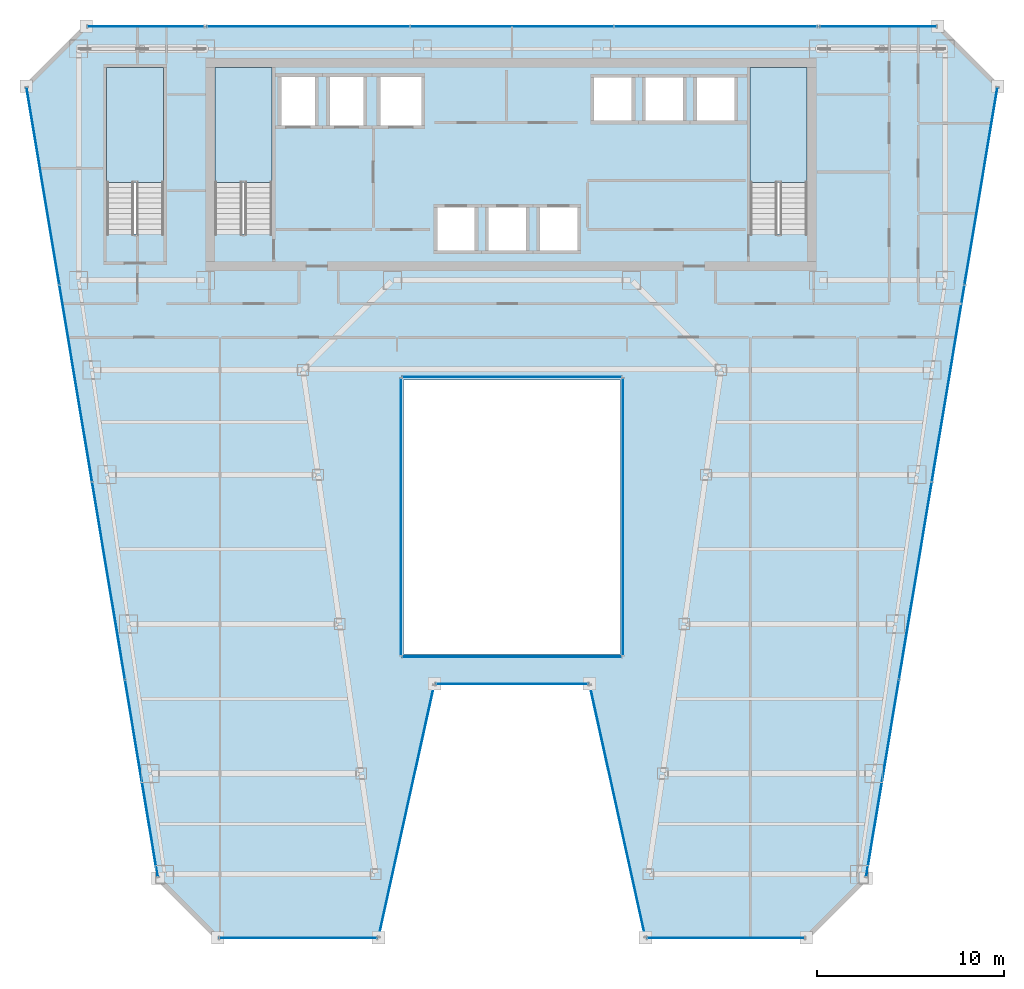
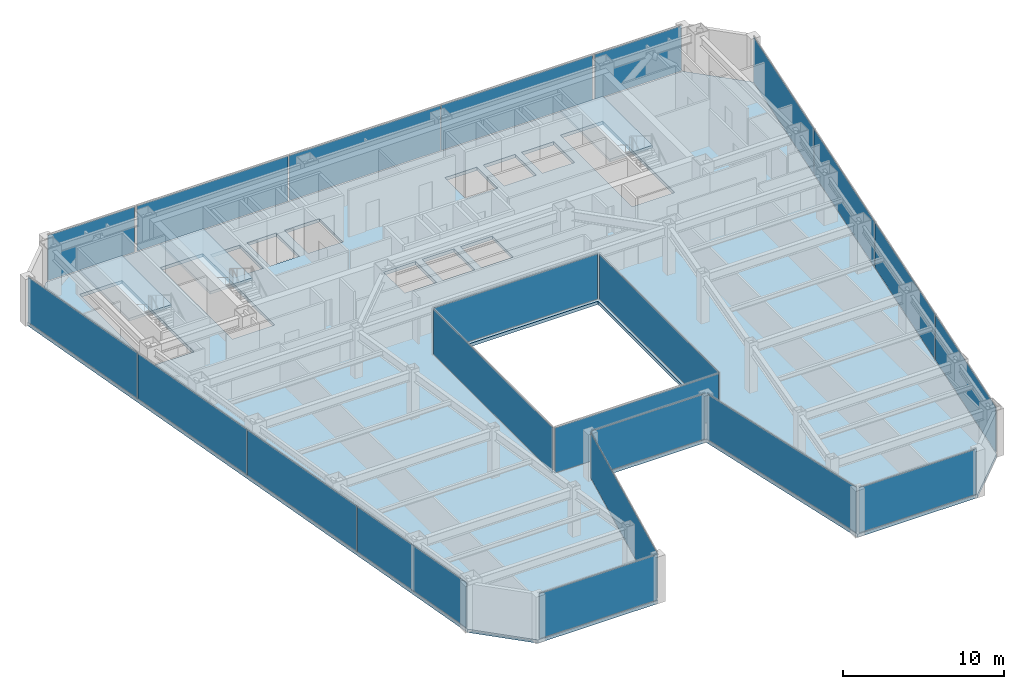
# One storey, part 29 of 36: 22 plates, 4 slabs, 17 elements without a shape of their own.
"""IFC4 building model written with IfcOpenShell, lengths in metres."""

from ifc_helpers import new_model, si_unit, direction, frame, origin, origin_2d, place, context, subcontext, project, spatial, polyline, rectangle, outline, extrude, material, layer, layer_set, type_object, element, aggregate, save


model = new_model("IFC4")

# Units and contexts
model_context = context("Model", 3, precision=1e-05, world=origin(), true_north=direction((0.0, 1.0)))
body_context = subcontext(model_context, "Body", "Model", "MODEL_VIEW")
ifc_project = project(units=[si_unit("LENGTHUNIT", "METRE"), si_unit("AREAUNIT", "SQUARE_METRE"), si_unit("VOLUMEUNIT", "CUBIC_METRE"), si_unit("PLANEANGLEUNIT", "RADIAN"), si_unit("MASSUNIT", "GRAM", prefix="KILO")], contexts=[model_context])

# Site, building, storey
site_placement = place(None, origin())
site = spatial("IfcSite", under=ifc_project, at=site_placement, CompositionType="ELEMENT")
building_placement = place(site_placement, origin())
building = spatial("IfcBuilding", under=site, at=building_placement, Name="Saevonmaru Cultural Tower", CompositionType="ELEMENT")
storey_placement = place(building_placement, frame((0.0, 0.0, 152.39990234375)))
storey = spatial("IfcBuildingStorey", under=building, at=storey_placement, Name="L33", CompositionType="ELEMENT", Elevation=152.39990234375)

# Curtain wall, plate
ifc_material_1 = material(Name="Satin Bronze Anodised Aluminium", Category="aluminium")
curtain_wall_type_1 = type_object("IfcCurtainWallType", Name="CW-ATR-GLZ", PredefinedType="NOTDEFINED", material=ifc_material_1)
curtain_wall_1_placement = place(storey_placement, origin())
curtain_wall_1 = element("IfcCurtainWall", 1, at=curtain_wall_1_placement, inside=storey, type_object=curtain_wall_type_1, Name="L33 Vertical Atrium Glazed Smoke Screen 1", PredefinedType="NOTDEFINED")
ifc_material_2 = material(Name="Fire-Rated Laminated Atrium Glass", Category="glass")
ifc_layer_1 = layer(ifc_material_2, 0.031982421875, Name="Fire-Rated Laminated Atrium Glass")
ifc_layer_set_1 = layer_set([ifc_layer_1], Name="Fire-Rated Laminated Atrium Glass")
plate_type_1 = type_object("IfcPlateType", Name="PN-GLZ-ATR-INT", PredefinedType="CURTAIN_PANEL", material=ifc_layer_set_1)
plate_1_placement = place(storey_placement, frame((30.0, 22.25, 0.067138671875), z_axis=(0.0, 0.0, 1.0), x_axis=(1.0, 0.0, 0.0)))
plate_1 = element("IfcPlate", 2, at=plate_1_placement, type_object=plate_type_1, Name="CW-ATR-L33-1 panel 1.1", PredefinedType="CURTAIN_PANEL", context=body_context, shape_type="SweptSolid", body=[
    extrude(rectangle(XDim=11.7109375, YDim=0.031982421875, at=origin_2d()), origin(), (0.0, 0.0, 1.0), 3.416015625),
])
aggregate(curtain_wall_1, [plate_1])

curtain_wall_2_placement = place(storey_placement, origin())
curtain_wall_2 = element("IfcCurtainWall", 3, at=curtain_wall_2_placement, inside=storey, type_object=curtain_wall_type_1, Name="L33 Vertical Atrium Glazed Smoke Screen 2", PredefinedType="NOTDEFINED")
plate_2_placement = place(storey_placement, frame((35.949951171875, 29.739990234375, 0.067138671875), z_axis=(0.0, 0.0, 1.0), x_axis=(0.0, 1.0, 0.0)))
plate_2 = element("IfcPlate", 4, at=plate_2_placement, type_object=plate_type_1, Name="CW-ATR-L33-2 panel 1.1", PredefinedType="CURTAIN_PANEL", context=body_context, shape_type="SweptSolid", body=[
    extrude(rectangle(XDim=14.791015625, YDim=0.031982421875, at=origin_2d()), origin(), (0.0, 0.0, 1.0), 3.416015625),
])
aggregate(curtain_wall_2, [plate_2])

curtain_wall_3_placement = place(storey_placement, origin())
curtain_wall_3 = element("IfcCurtainWall", 5, at=curtain_wall_3_placement, inside=storey, type_object=curtain_wall_type_1, Name="L33 Vertical Atrium Glazed Smoke Screen 3", PredefinedType="NOTDEFINED")
plate_3_placement = place(storey_placement, frame((30.0, 37.22998046875, 0.067138671875), z_axis=(0.0, 0.0, 1.0), x_axis=(-1.0, 0.0, 0.0)))
plate_3 = element("IfcPlate", 6, at=plate_3_placement, type_object=plate_type_1, Name="CW-ATR-L33-3 panel 1.1", PredefinedType="CURTAIN_PANEL", context=body_context, shape_type="SweptSolid", body=[
    extrude(rectangle(XDim=11.7109375, YDim=0.031982421875, at=origin_2d()), origin(), (0.0, 0.0, 1.0), 3.416015625),
])
aggregate(curtain_wall_3, [plate_3])

curtain_wall_4_placement = place(storey_placement, origin())
curtain_wall_4 = element("IfcCurtainWall", 7, at=curtain_wall_4_placement, inside=storey, type_object=curtain_wall_type_1, Name="L33 Vertical Atrium Glazed Smoke Screen 4", PredefinedType="NOTDEFINED")
plate_4_placement = place(storey_placement, frame((24.050048828125, 29.739990234375, 0.067138671875), z_axis=(0.0, 0.0, 1.0), x_axis=(0.0, -1.0, 0.0)))
plate_4 = element("IfcPlate", 8, at=plate_4_placement, type_object=plate_type_1, Name="CW-ATR-L33-4 panel 1.1", PredefinedType="CURTAIN_PANEL", context=body_context, shape_type="SweptSolid", body=[
    extrude(rectangle(XDim=14.791015625, YDim=0.031982421875, at=origin_2d()), origin(), (0.0, 0.0, 1.0), 3.416015625),
])
aggregate(curtain_wall_4, [plate_4])

curtain_wall_type_2 = type_object("IfcCurtainWallType", Name="CW-TYP-A", PredefinedType="NOTDEFINED", material=ifc_material_1)
curtain_wall_5_placement = place(storey_placement, origin())
curtain_wall_5 = element("IfcCurtainWall", 9, at=curtain_wall_5_placement, inside=storey, type_object=curtain_wall_type_2, Name="L33 Unitised Curtain Wall E2", PredefinedType="NOTDEFINED")
ifc_material_3 = material(Name="Triple Silver Low-E Insulating Glass", Category="glass")
ifc_layer_2 = layer(ifc_material_3, 0.035888671875, Name="Triple Silver Low-E Insulating Glass")
ifc_layer_set_2 = layer_set([ifc_layer_2], Name="Triple Silver Low-E Insulating Glass")
plate_type_2 = type_object("IfcPlateType", Name="PN-GLZ-IGU", PredefinedType="CURTAIN_PANEL", material=ifc_layer_set_2)
plate_5_placement = place(storey_placement, frame((18.548828125, 7.199951171875, 0.067138671875), z_axis=(0.0, 0.0, 1.0), x_axis=(1.0, 0.0, 0.0)))
plate_5 = element("IfcPlate", 10, at=plate_5_placement, type_object=plate_type_2, Name="CW-TW-L33-E2 panel 1.1", PredefinedType="CURTAIN_PANEL", context=body_context, shape_type="SweptSolid", body=[
    extrude(rectangle(XDim=8.410888671875, YDim=0.035888671875, at=origin_2d()), origin(), (0.0, 0.0, 1.0), 3.416015625),
])
aggregate(curtain_wall_5, [plate_5])

curtain_wall_6_placement = place(storey_placement, origin())
curtain_wall_6 = element("IfcCurtainWall", 11, at=curtain_wall_6_placement, inside=storey, type_object=curtain_wall_type_2, Name="L33 Unitised Curtain Wall E3", PredefinedType="NOTDEFINED")
plate_6_placement = place(storey_placement, frame((24.348876953125, 14.0, 0.067138671875), z_axis=(0.0, 0.0, 1.0), x_axis=(0.215413319953, 0.976522965212, 0.0)))
plate_6 = element("IfcPlate", 12, at=plate_6_placement, type_object=plate_type_2, Name="CW-TW-L33-E3 panel 1.1", PredefinedType="CURTAIN_PANEL", context=body_context, shape_type="SweptSolid", body=[
    extrude(rectangle(XDim=13.738037109375, YDim=0.035888671875, at=origin_2d()), origin(), (0.0, 0.0, 1.0), 3.416015625),
])
aggregate(curtain_wall_6, [plate_6])

curtain_wall_7_placement = place(storey_placement, origin())
curtain_wall_7 = element("IfcCurtainWall", 13, at=curtain_wall_7_placement, inside=storey, type_object=curtain_wall_type_2, Name="L33 Unitised Curtain Wall E4", PredefinedType="NOTDEFINED")
plate_7_placement = place(storey_placement, frame((30.0, 20.800048828125, 0.067138671875), z_axis=(0.0, 0.0, 1.0), x_axis=(1.0, 0.0, 0.0)))
plate_7 = element("IfcPlate", 14, at=plate_7_placement, type_object=plate_type_2, Name="CW-TW-L33-E4 panel 1.1", PredefinedType="CURTAIN_PANEL", context=body_context, shape_type="SweptSolid", body=[
    extrude(rectangle(XDim=8.11328125, YDim=0.035888671875, at=origin_2d()), origin(), (0.0, 0.0, 1.0), 3.416015625),
])
aggregate(curtain_wall_7, [plate_7])

curtain_wall_8_placement = place(storey_placement, origin())
curtain_wall_8 = element("IfcCurtainWall", 15, at=curtain_wall_8_placement, inside=storey, type_object=curtain_wall_type_2, Name="L33 Unitised Curtain Wall E5", PredefinedType="NOTDEFINED")
plate_8_placement = place(storey_placement, frame((35.651123046875, 14.0, 0.067138671875), z_axis=(0.0, 0.0, 1.0), x_axis=(0.215413319953, -0.976522965212, 0.0)))
plate_8 = element("IfcPlate", 16, at=plate_8_placement, type_object=plate_type_2, Name="CW-TW-L33-E5 panel 1.1", PredefinedType="CURTAIN_PANEL", context=body_context, shape_type="SweptSolid", body=[
    extrude(rectangle(XDim=13.738037109375, YDim=0.035888671875, at=origin_2d()), origin(), (0.0, 0.0, 1.0), 3.416015625),
])
aggregate(curtain_wall_8, [plate_8])

curtain_wall_9_placement = place(storey_placement, origin())
curtain_wall_9 = element("IfcCurtainWall", 17, at=curtain_wall_9_placement, inside=storey, type_object=curtain_wall_type_2, Name="L33 Unitised Curtain Wall E6", PredefinedType="NOTDEFINED")
plate_9_placement = place(storey_placement, frame((41.451171875, 7.199951171875, 0.067138671875), z_axis=(0.0, 0.0, 1.0), x_axis=(1.0, 0.0, 0.0)))
plate_9 = element("IfcPlate", 18, at=plate_9_placement, type_object=plate_type_2, Name="CW-TW-L33-E6 panel 1.1", PredefinedType="CURTAIN_PANEL", context=body_context, shape_type="SweptSolid", body=[
    extrude(rectangle(XDim=8.410888671875, YDim=0.035888671875, at=origin_2d()), origin(), (0.0, 0.0, 1.0), 3.416015625),
])
aggregate(curtain_wall_9, [plate_9])

# Curtain wall, plates
curtain_wall_10_placement = place(storey_placement, origin())
curtain_wall_10 = element("IfcCurtainWall", 19, at=curtain_wall_10_placement, inside=storey, type_object=curtain_wall_type_2, Name="L33 Unitised Curtain Wall E8", PredefinedType="NOTDEFINED")
plate_10_placement = place(storey_placement, frame((49.839599609375, 15.744384765625, 0.067138671875), z_axis=(0.0, 0.0, 1.0), x_axis=(0.163998702345, 0.986460554523, 0.0)))
plate_10 = element("IfcPlate", 20, at=plate_10_placement, type_object=plate_type_2, Name="CW-TW-L33-E8 panel 1.1", PredefinedType="CURTAIN_PANEL", context=body_context, shape_type="SweptSolid", body=[
    extrude(rectangle(XDim=10.646484375, YDim=0.035888671875, at=origin_2d()), origin(), (0.0, 0.0, 1.0), 3.416015625),
])
plate_11_placement = place(storey_placement, frame((51.596923828125, 26.314697265625, 0.067138671875), z_axis=(0.0, 0.0, 1.0), x_axis=(0.163998702345, 0.986460554523, 0.0)))
plate_11 = element("IfcPlate", 21, at=plate_11_placement, type_object=plate_type_2, Name="CW-TW-L33-E8 panel 2.1", PredefinedType="CURTAIN_PANEL", context=body_context, shape_type="SweptSolid", body=[
    extrude(rectangle(XDim=10.646484375, YDim=0.035888671875, at=origin_2d()), origin(), (0.0, 0.0, 1.0), 3.416015625),
])
plate_12_placement = place(storey_placement, frame((53.354248046875, 36.88525390625, 0.067138671875), z_axis=(0.0, 0.0, 1.0), x_axis=(0.163998702345, 0.986460554523, 0.0)))
plate_12 = element("IfcPlate", 22, at=plate_12_placement, type_object=plate_type_2, Name="CW-TW-L33-E8 panel 3.1", PredefinedType="CURTAIN_PANEL", context=body_context, shape_type="SweptSolid", body=[
    extrude(rectangle(XDim=10.646484375, YDim=0.035888671875, at=origin_2d()), origin(), (0.0, 0.0, 1.0), 3.416015625),
])
plate_13_placement = place(storey_placement, frame((55.111572265625, 47.45556640625, 0.067138671875), z_axis=(0.0, 0.0, 1.0), x_axis=(0.163998702345, 0.986460554523, 0.0)))
plate_13 = element("IfcPlate", 23, at=plate_13_placement, type_object=plate_type_2, Name="CW-TW-L33-E8 panel 4.1", PredefinedType="CURTAIN_PANEL", context=body_context, shape_type="SweptSolid", body=[
    extrude(rectangle(XDim=10.646484375, YDim=0.035888671875, at=origin_2d()), origin(), (0.0, 0.0, 1.0), 3.416015625),
])
aggregate(curtain_wall_10, [plate_10, plate_11, plate_12, plate_13])

curtain_wall_11_placement = place(storey_placement, origin())
curtain_wall_11 = element("IfcCurtainWall", 24, at=curtain_wall_11_placement, inside=storey, type_object=curtain_wall_type_2, Name="L33 North Spine Unitised Curtain Wall E10B", PredefinedType="NOTDEFINED")
plate_14_placement = place(storey_placement, frame((40.893310546875, 56.0, 0.067138671875), z_axis=(0.0, 0.0, 1.0), x_axis=(-1.0, 0.0, 0.0)))
plate_14 = element("IfcPlate", 25, at=plate_14_placement, type_object=plate_type_2, Name="CW-TW-L33-E10B panel 1.1", PredefinedType="CURTAIN_PANEL", context=body_context, shape_type="SweptSolid", body=[
    extrude(rectangle(XDim=10.82421875, YDim=0.035888671875, at=origin_2d()), origin(), (0.0, 0.0, 1.0), 3.416015625),
])
plate_15_placement = place(storey_placement, frame((30.0, 56.0, 0.067138671875), z_axis=(0.0, 0.0, 1.0), x_axis=(-1.0, 0.0, 0.0)))
plate_15 = element("IfcPlate", 26, at=plate_15_placement, type_object=plate_type_2, Name="CW-TW-L33-E10B panel 2.1", PredefinedType="CURTAIN_PANEL", context=body_context, shape_type="SweptSolid", body=[
    extrude(rectangle(XDim=10.82421875, YDim=0.035888671875, at=origin_2d()), origin(), (0.0, 0.0, 1.0), 3.416015625),
])
plate_16_placement = place(storey_placement, frame((19.106689453125, 56.0, 0.067138671875), z_axis=(0.0, 0.0, 1.0), x_axis=(-1.0, 0.0, 0.0)))
plate_16 = element("IfcPlate", 27, at=plate_16_placement, type_object=plate_type_2, Name="CW-TW-L33-E10B panel 3.1", PredefinedType="CURTAIN_PANEL", context=body_context, shape_type="SweptSolid", body=[
    extrude(rectangle(XDim=10.82421875, YDim=0.035888671875, at=origin_2d()), origin(), (0.0, 0.0, 1.0), 3.416015625),
])
aggregate(curtain_wall_11, [plate_14, plate_15, plate_16])

curtain_wall_12_placement = place(storey_placement, origin())
curtain_wall_12 = element("IfcCurtainWall", 28, at=curtain_wall_12_placement, inside=storey, type_object=curtain_wall_type_2, Name="L33 Unitised Curtain Wall E12", PredefinedType="NOTDEFINED")
plate_17_placement = place(storey_placement, frame((4.888427734375, 47.45556640625, 0.067138671875), z_axis=(0.0, 0.0, 1.0), x_axis=(0.163998702345, -0.986460554523, 0.0)))
plate_17 = element("IfcPlate", 29, at=plate_17_placement, type_object=plate_type_2, Name="CW-TW-L33-E12 panel 1.1", PredefinedType="CURTAIN_PANEL", context=body_context, shape_type="SweptSolid", body=[
    extrude(rectangle(XDim=10.646484375, YDim=0.035888671875, at=origin_2d()), origin(), (0.0, 0.0, 1.0), 3.416015625),
])
plate_18_placement = place(storey_placement, frame((6.645751953125, 36.88525390625, 0.067138671875), z_axis=(0.0, 0.0, 1.0), x_axis=(0.163998702345, -0.986460554523, 0.0)))
plate_18 = element("IfcPlate", 30, at=plate_18_placement, type_object=plate_type_2, Name="CW-TW-L33-E12 panel 2.1", PredefinedType="CURTAIN_PANEL", context=body_context, shape_type="SweptSolid", body=[
    extrude(rectangle(XDim=10.646484375, YDim=0.035888671875, at=origin_2d()), origin(), (0.0, 0.0, 1.0), 3.416015625),
])
plate_19_placement = place(storey_placement, frame((8.403076171875, 26.314697265625, 0.067138671875), z_axis=(0.0, 0.0, 1.0), x_axis=(0.163998702345, -0.986460554523, 0.0)))
plate_19 = element("IfcPlate", 31, at=plate_19_placement, type_object=plate_type_2, Name="CW-TW-L33-E12 panel 3.1", PredefinedType="CURTAIN_PANEL", context=body_context, shape_type="SweptSolid", body=[
    extrude(rectangle(XDim=10.646484375, YDim=0.035888671875, at=origin_2d()), origin(), (0.0, 0.0, 1.0), 3.416015625),
])
plate_20_placement = place(storey_placement, frame((10.160400390625, 15.744384765625, 0.067138671875), z_axis=(0.0, 0.0, 1.0), x_axis=(0.163998702345, -0.986460554523, 0.0)))
plate_20 = element("IfcPlate", 32, at=plate_20_placement, type_object=plate_type_2, Name="CW-TW-L33-E12 panel 4.1", PredefinedType="CURTAIN_PANEL", context=body_context, shape_type="SweptSolid", body=[
    extrude(rectangle(XDim=10.646484375, YDim=0.035888671875, at=origin_2d()), origin(), (0.0, 0.0, 1.0), 3.416015625),
])
aggregate(curtain_wall_12, [plate_17, plate_18, plate_19, plate_20])

# Curtain wall, plate
curtain_wall_13_placement = place(storey_placement, origin())
curtain_wall_13 = element("IfcCurtainWall", 33, at=curtain_wall_13_placement, inside=storey, type_object=curtain_wall_type_2, Name="L33 East Braced Bay Spandrel Curtain Wall E10A", PredefinedType="NOTDEFINED")
ifc_material_4 = material(Name="Insulated Satin Bronze Aluminium Spandrel Panel", Category="aluminium")
ifc_layer_3 = layer(ifc_material_4, 0.0400390625, Name="Insulated Satin Bronze Aluminium Spandrel Panel")
ifc_layer_set_3 = layer_set([ifc_layer_3], Name="Insulated Satin Bronze Aluminium Spandrel Panel")
plate_type_3 = type_object("IfcPlateType", Name="PN-SPANDREL-BRONZE", PredefinedType="CURTAIN_PANEL", material=ifc_layer_set_3)
plate_21_placement = place(storey_placement, frame((49.60009765625, 56.0, 0.067138671875), z_axis=(0.0, 0.0, 1.0), x_axis=(-1.0, 0.0, 0.0)))
plate_21 = element("IfcPlate", 34, at=plate_21_placement, type_object=plate_type_3, Name="CW-TW-L33-E10A panel 1.1", PredefinedType="CURTAIN_PANEL", context=body_context, shape_type="SweptSolid", body=[
    extrude(rectangle(XDim=6.2109375, YDim=0.035888671875, at=origin_2d()), origin(), (0.0, 0.0, 1.0), 3.416015625),
])
aggregate(curtain_wall_13, [plate_21])

curtain_wall_14_placement = place(storey_placement, origin())
curtain_wall_14 = element("IfcCurtainWall", 35, at=curtain_wall_14_placement, inside=storey, type_object=curtain_wall_type_2, Name="L33 West Braced Bay Spandrel Curtain Wall E10C", PredefinedType="NOTDEFINED")
plate_22_placement = place(storey_placement, frame((10.39990234375, 56.0, 0.067138671875), z_axis=(0.0, 0.0, 1.0), x_axis=(-1.0, 0.0, 0.0)))
plate_22 = element("IfcPlate", 36, at=plate_22_placement, type_object=plate_type_3, Name="CW-TW-L33-E10C panel 1.1", PredefinedType="CURTAIN_PANEL", context=body_context, shape_type="SweptSolid", body=[
    extrude(rectangle(XDim=6.2109375, YDim=0.035888671875, at=origin_2d()), origin(), (0.0, 0.0, 1.0), 3.416015625),
])
aggregate(curtain_wall_14, [plate_22])

# Slab
ifc_material_5 = material(Name="Concrete C40/50", Category="concrete")
ifc_layer_4 = layer(ifc_material_5, 0.25, Name="Concrete C40/50")
ifc_layer_set_4 = layer_set([ifc_layer_4], Name="Concrete C40/50")
slab_type_1 = type_object("IfcSlabType", Name="SL-FLR-250", PredefinedType="FLOOR", material=ifc_layer_set_4)
slab_1_placement = place(storey_placement, frame((0.0, 0.0, -0.25)))
element("IfcSlab", 37, at=slab_1_placement, inside=storey, type_object=slab_type_1, Name="L33 Tower Structural Floor Slab", PredefinedType="FLOOR", context=body_context, shape_type="SweptSolid", body=[
    extrude(outline(polyline([(11.048828125, 10.39990234375), (14.248779296875, 7.199951171875), (22.848876953125, 7.199951171875), (25.848876953125, 20.800048828125), (34.151123046875, 20.800048828125), (37.151123046875, 7.199951171875), (45.751220703125, 7.199951171875), (48.951171875, 10.39990234375), (56.0, 52.800048828125), (52.800048828125, 56.0), (7.199951171875, 56.0), (4.0, 52.800048828125), (11.048828125, 10.39990234375)]), holes=[polyline([(45.800048828125, 44.875), (42.75, 44.875), (42.75, 53.800048828125), (45.800048828125, 53.800048828125), (45.800048828125, 44.875)]), polyline([(39.75, 50.800048828125), (39.75, 53.39990234375), (42.050048828125, 53.39990234375), (42.050048828125, 50.800048828125), (39.75, 50.800048828125)]), polyline([(37.0, 50.800048828125), (37.0, 53.39990234375), (39.300048828125, 53.39990234375), (39.300048828125, 50.800048828125), (37.0, 50.800048828125)]), polyline([(34.25, 50.800048828125), (34.25, 53.39990234375), (36.550048828125, 53.39990234375), (36.550048828125, 50.800048828125), (34.25, 50.800048828125)]), polyline([(24.199951171875, 22.39990234375), (24.199951171875, 37.080078125), (35.800048828125, 37.080078125), (35.800048828125, 22.39990234375), (24.199951171875, 22.39990234375)]), polyline([(31.35009765625, 43.85009765625), (31.35009765625, 46.449951171875), (33.64990234375, 46.449951171875), (33.64990234375, 43.85009765625), (31.35009765625, 43.85009765625)]), polyline([(28.60009765625, 43.85009765625), (28.60009765625, 46.449951171875), (30.89990234375, 46.449951171875), (30.89990234375, 43.85009765625), (28.60009765625, 43.85009765625)]), polyline([(28.14990234375, 43.85009765625), (25.85009765625, 43.85009765625), (25.85009765625, 46.449951171875), (28.14990234375, 46.449951171875), (28.14990234375, 43.85009765625)]), polyline([(25.300048828125, 50.550048828125), (22.800048828125, 50.550048828125), (22.800048828125, 53.449951171875), (25.300048828125, 53.449951171875), (25.300048828125, 50.550048828125)]), polyline([(20.10009765625, 50.550048828125), (20.10009765625, 53.449951171875), (22.199951171875, 53.449951171875), (22.199951171875, 50.550048828125), (20.10009765625, 50.550048828125)]), polyline([(17.5, 50.550048828125), (17.5, 53.449951171875), (19.60009765625, 53.449951171875), (19.60009765625, 50.550048828125), (17.5, 50.550048828125)]), polyline([(17.14990234375, 53.800048828125), (17.14990234375, 44.875), (14.10009765625, 44.875), (14.10009765625, 53.800048828125), (17.14990234375, 53.800048828125)]), polyline([(11.35009765625, 44.875), (8.300048828125, 44.875), (8.300048828125, 53.800048828125), (11.35009765625, 53.800048828125), (11.35009765625, 44.875)])]), origin(), (0.0, 0.0, 1.0), 0.25),
])

# Stair, slab
stair_type = type_object("IfcStairType", Name="STR-DOGLEG-RC", PredefinedType="HALF_TURN_STAIR", material=ifc_material_5)
stair_1_placement = place(storey_placement, origin())
stair_1 = element("IfcStair", 38, at=stair_1_placement, inside=storey, type_object=stair_type, Name="L33 Protected exit stair ST-1", PredefinedType="HALF_TURN_STAIR")
ifc_layer_5 = layer(ifc_material_5, 0.199951171875, Name="Concrete C40/50")
ifc_layer_set_5 = layer_set([ifc_layer_5], Name="Concrete C40/50")
slab_type_2 = type_object("IfcSlabType", Name="SL-STAIR-LANDING", PredefinedType="LANDING", material=ifc_layer_set_5)
slab_2_placement = place(storey_placement, frame((0.0, 0.0, 1.7001953125)))
slab_2 = element("IfcSlab", 39, at=slab_2_placement, type_object=slab_type_2, Name="ST-1-L33 landing 1", PredefinedType="LANDING", context=body_context, shape_type="SweptSolid", body=[
    extrude(outline(polyline([(17.14990234375, 47.64990234375), (17.14990234375, 53.800048828125), (14.10009765625, 53.800048828125), (14.10009765625, 47.64990234375), (17.14990234375, 47.64990234375)])), origin(), (0.0, 0.0, 1.0), 0.199951171875),
])
aggregate(stair_1, [slab_2])

stair_2_placement = place(storey_placement, origin())
stair_2 = element("IfcStair", 40, at=stair_2_placement, inside=storey, type_object=stair_type, Name="L33 Protected exit stair ST-2", PredefinedType="HALF_TURN_STAIR")
slab_3_placement = place(storey_placement, frame((0.0, 0.0, 1.7001953125)))
slab_3 = element("IfcSlab", 41, at=slab_3_placement, type_object=slab_type_2, Name="ST-2-L33 landing 1", PredefinedType="LANDING", context=body_context, shape_type="SweptSolid", body=[
    extrude(outline(polyline([(45.800048828125, 47.64990234375), (45.800048828125, 53.800048828125), (42.75, 53.800048828125), (42.75, 47.64990234375), (45.800048828125, 47.64990234375)])), origin(), (0.0, 0.0, 1.0), 0.199951171875),
])
aggregate(stair_2, [slab_3])

stair_3_placement = place(storey_placement, origin())
stair_3 = element("IfcStair", 42, at=stair_3_placement, inside=storey, type_object=stair_type, Name="L33 Protected exit stair ST-3", PredefinedType="HALF_TURN_STAIR")
slab_4_placement = place(storey_placement, frame((0.0, 0.0, 1.7001953125)))
slab_4 = element("IfcSlab", 43, at=slab_4_placement, type_object=slab_type_2, Name="ST-3-L33 landing 1", PredefinedType="LANDING", context=body_context, shape_type="SweptSolid", body=[
    extrude(outline(polyline([(11.35009765625, 47.64990234375), (11.35009765625, 53.800048828125), (8.300048828125, 53.800048828125), (8.300048828125, 47.64990234375), (11.35009765625, 47.64990234375)])), origin(), (0.0, 0.0, 1.0), 0.199951171875),
])
aggregate(stair_3, [slab_4])

save(model, "model.ifc")
